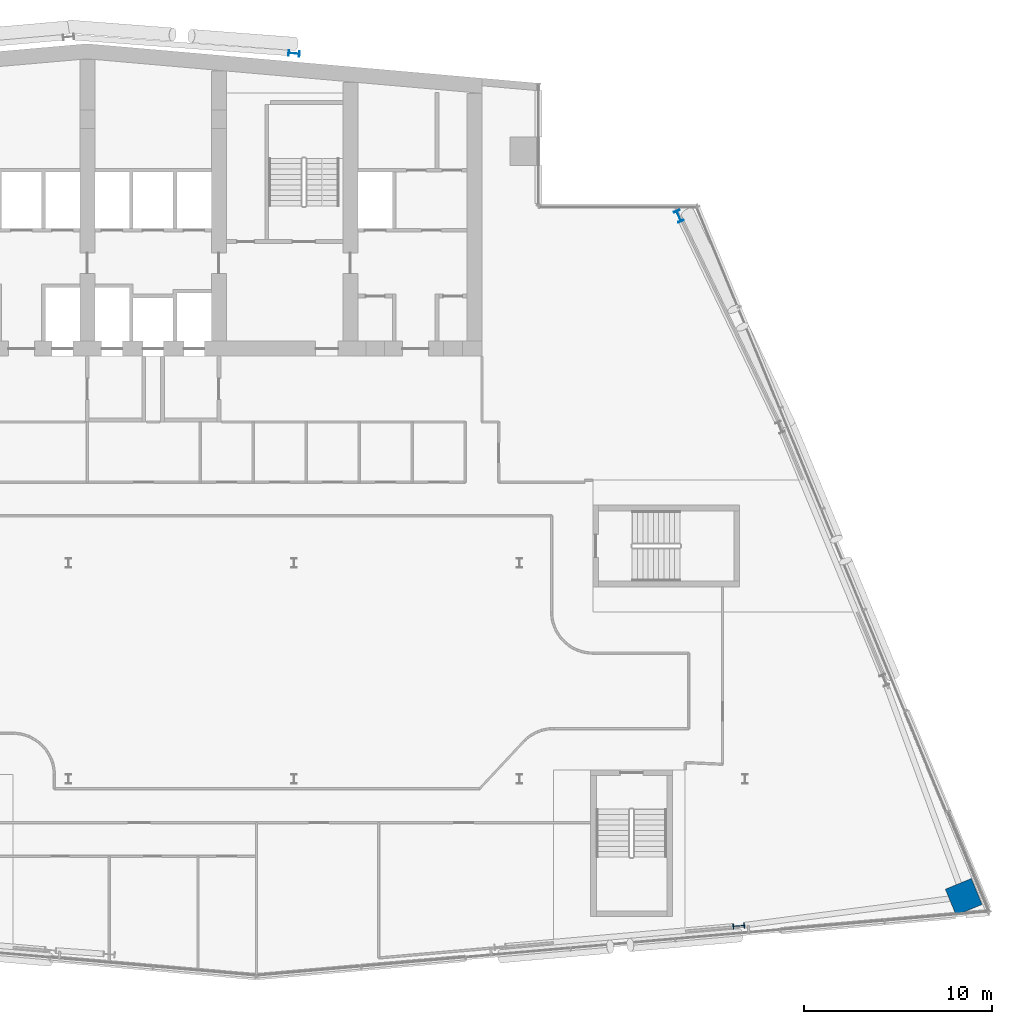
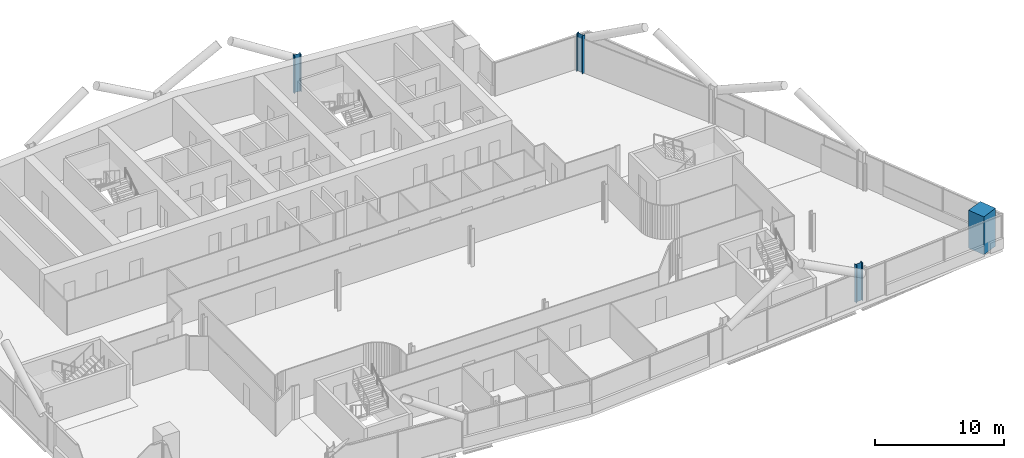
# One storey, part 4 of 29: 4 columns.
"""IFC4 building model written with IfcOpenShell, lengths in metres."""

from ifc_helpers import new_model, si_unit, direction, frame, origin, origin_2d, place, context, subcontext, project, spatial, rectangle, i_section, extrude, material, material_profile, profile_set, type_object, element, save


model = new_model("IFC4")

# Units and contexts
model_context = context("Model", 3, precision=1e-05, world=origin(), true_north=direction((0.0, 1.0)))
body_context = subcontext(model_context, "Body", "Model", "MODEL_VIEW")
ifc_project = project(units=[si_unit("LENGTHUNIT", "METRE"), si_unit("AREAUNIT", "SQUARE_METRE"), si_unit("VOLUMEUNIT", "CUBIC_METRE"), si_unit("PLANEANGLEUNIT", "RADIAN"), si_unit("MASSUNIT", "GRAM", prefix="KILO")], contexts=[model_context])

# Site, building, storey
site_placement = place(None, origin())
site = spatial("IfcSite", under=ifc_project, at=site_placement, CompositionType="ELEMENT")
building_placement = place(site_placement, origin())
building = spatial("IfcBuilding", under=site, at=building_placement, Name="Wharfspan Tower", CompositionType="ELEMENT")
storey_placement = place(building_placement, frame((0.0, 0.0, 162.699951)))
storey = spatial("IfcBuildingStorey", under=building, at=storey_placement, Name="L39", CompositionType="ELEMENT", Elevation=162.699951)

# Columns
ifc_material_1 = material(Name="Steel S355J2", Category="steel")
ifc_material_profile_1 = material_profile(ifc_material_1, i_section(OverallWidth=0.300049, OverallDepth=0.600098, WebThickness=0.015381, FlangeThickness=0.030029, FilletRadius=0.0271, at=origin_2d()))
ifc_profile_set_1 = profile_set([ifc_material_profile_1], Name="Steel S355J2")
column_type_1 = type_object("IfcColumnType", Name="Column HEB 600", PredefinedType="COLUMN", material=ifc_profile_set_1)
column_1_placement = place(storey_placement, frame((48.0, 50.112305, 0.0), z_axis=(0.0, 0.0, 1.0), x_axis=(0.087156, 0.996198, 0.0)))
element("IfcColumn", 1, at=column_1_placement, inside=storey, type_object=column_type_1, Name="Rear column R.3 L39", PredefinedType="COLUMN", context=body_context, shape_type="SweptSolid", body=[
    extrude(i_section(OverallWidth=0.300049, OverallDepth=0.600098, WebThickness=0.015381, FlangeThickness=0.030029, FilletRadius=0.0271, at=origin_2d()), origin(), (0.0, 0.0, 1.0), 3.600098),
])
ifc_material_profile_2 = material_profile(ifc_material_1, i_section(OverallWidth=0.304932, OverallDepth=0.620117, WebThickness=0.020996, FlangeThickness=0.040039, FilletRadius=0.0271, at=origin_2d()))
ifc_profile_set_2 = profile_set([ifc_material_profile_2], Name="Steel S355J2")
column_type_2 = type_object("IfcColumnType", Name="Column HEM 600", PredefinedType="COLUMN", material=ifc_profile_set_2)
for number, where, z_axis, x_axis, name in (
    (2, (71.661865, 3.684814, 0.0), (0.0, 0.0, 1.0), (0.087156, -0.996198, 0.0), "Perimeter column PS2.2 L39"),
    (3, (68.471924, 41.450439, 0.0), (0.0, 0.0, 1.0), (0.924325, 0.381602, 0.0), "Perimeter column PE.3 L39"),
):
    element("IfcColumn", number, at=place(storey_placement, frame(where, z_axis=z_axis, x_axis=x_axis)), inside=storey, type_object=column_type_2, Name=name, PredefinedType="COLUMN", context=body_context, shape_type="SweptSolid", body=[
        extrude(i_section(OverallWidth=0.304932, OverallDepth=0.620117, WebThickness=0.020996, FlangeThickness=0.040039, FilletRadius=0.0271, at=origin_2d()), origin(), (0.0, 0.0, 1.0), 3.600098),
    ])
ifc_material_2 = material(Name="Concrete C60/75", Category="concrete")
ifc_material_profile_3 = material_profile(ifc_material_2, rectangle(XDim=1.5, YDim=1.5, at=origin_2d()))
ifc_profile_set_3 = profile_set([ifc_material_profile_3], Name="Concrete C60/75")
column_type_3 = type_object("IfcColumnType", Name="Mega column 1500 C60/75", PredefinedType="COLUMN", material=ifc_profile_set_3)
column_2_placement = place(storey_placement, frame((83.632568, 5.230713, 0.0), z_axis=(0.0, 0.0, 1.0), x_axis=(-0.381602, 0.924325, 0.0)))
element("IfcColumn", 4, at=column_2_placement, inside=storey, type_object=column_type_3, Name="Mega column MC4 L39", PredefinedType="COLUMN", context=body_context, shape_type="SweptSolid", body=[
    extrude(rectangle(XDim=1.5, YDim=1.5, at=origin_2d()), origin(), (0.0, 0.0, 1.0), 3.600098),
])

save(model, "model.ifc")
